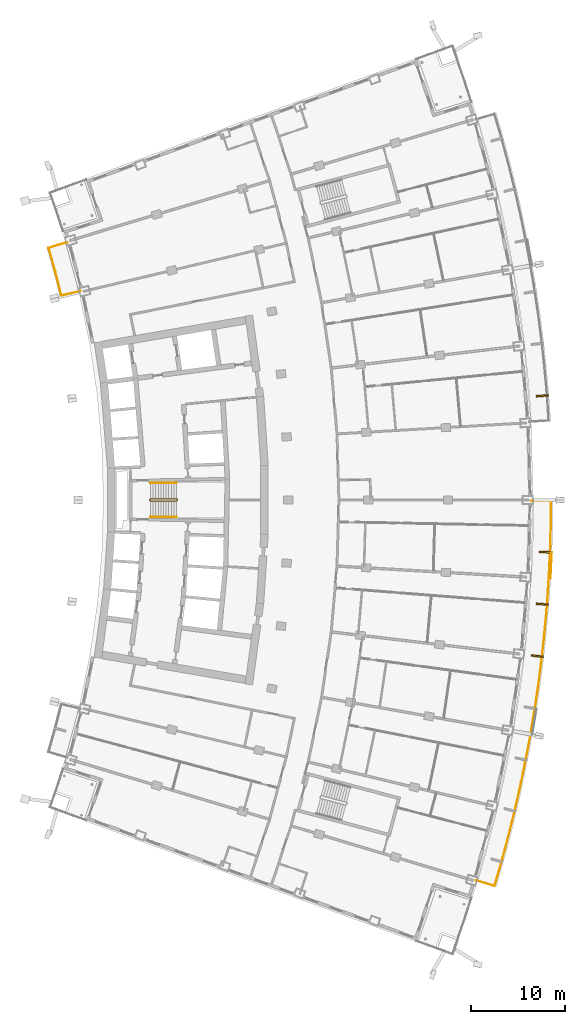
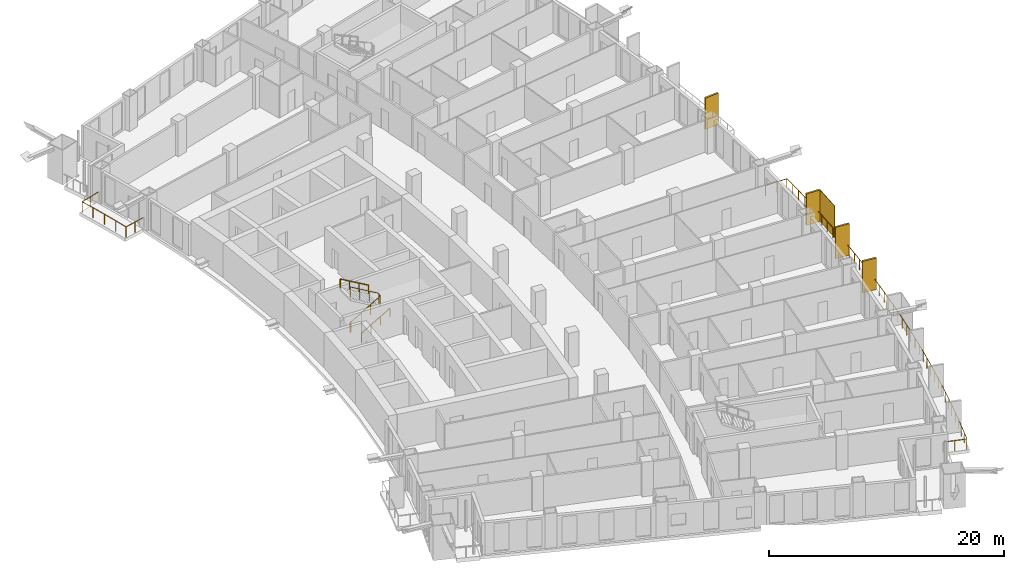
# One storey, part 22 of 23: 5 railings, 5 shading devices.
"""IFC4 building model written with IfcOpenShell, lengths in metres."""

from ifc_helpers import new_model, si_unit, direction, frame, origin, origin_with_axes, origin_2d, place, context, subcontext, project, spatial, rectangle, extrude, material, layer, layer_set, type_object, element, save


model = new_model("IFC4")

# Units and contexts
model_context = context("Model", 3, precision=1e-05, world=origin(), true_north=direction((0.0, 1.0)))
body_context = subcontext(model_context, "Body", "Model", "MODEL_VIEW")
ifc_project = project(units=[si_unit("LENGTHUNIT", "METRE"), si_unit("AREAUNIT", "SQUARE_METRE"), si_unit("VOLUMEUNIT", "CUBIC_METRE"), si_unit("PLANEANGLEUNIT", "RADIAN"), si_unit("MASSUNIT", "GRAM", prefix="KILO")], contexts=[model_context])

# Site, building, storey
site_placement = place(None, origin())
site = spatial("IfcSite", under=ifc_project, at=site_placement, CompositionType="ELEMENT")
building_placement = place(site_placement, origin())
building = spatial("IfcBuilding", under=site, at=building_placement, Name="Alderwake Tower", CompositionType="ELEMENT")
storey_placement = place(building_placement, frame((0.0, 0.0, 100.39990234375)))
storey = spatial("IfcBuildingStorey", under=building, at=storey_placement, Name="L24", CompositionType="ELEMENT", Elevation=100.39990234375)

# Railings
ifc_material_1 = material(Name="Stainless steel 316 rail and posts", Category="steel")
railing_type_1 = type_object("IfcRailingType", Name="Balcony guard 1100", PredefinedType="GUARDRAIL", material=ifc_material_1)
railing_1_placement = place(storey_placement, frame((55.839599609375, 20.320068359375, 0.0)))
element("IfcRailing", 1, at=railing_1_placement, inside=storey, type_object=railing_type_1, Name="Guard BF02", PredefinedType="GUARDRAIL", context=body_context, shape_type="SweptSolid", body=[
    extrude(rectangle(XDim=0.048095703125, YDim=0.048095703125, at=origin_2d()), frame((0.0, 0.0, 1.076171875), z_axis=(0.957954179098, -0.286921227429, 0.0), x_axis=(0.286921227429, 0.957954179098, 0.0)), (0.0, 0.0, 1.0), 2.10009765625),
    extrude(rectangle(XDim=0.048095703125, YDim=0.048095703125, at=origin_2d()), frame((2.01171875, -0.6025390625, 1.076171875), z_axis=(0.280234538423, 0.95993156187, 0.0), x_axis=(-0.95993156187, 0.280234538423, 0.0)), (0.0, 0.0, 1.0), 1.99853515625),
    extrude(rectangle(XDim=0.048095703125, YDim=0.048095703125, at=origin_2d()), frame((2.57177734375, 1.31591796875, 1.076171875), z_axis=(0.266521673868, 0.963828925359, 0.0), x_axis=(-0.963828925359, 0.266521673868, 0.0)), (0.0, 0.0, 1.0), 2.0986328125),
    extrude(rectangle(XDim=0.048095703125, YDim=0.048095703125, at=origin_2d()), frame((3.131103515625, 3.338623046875, 1.076171875), z_axis=(0.252459784968, 0.967607387825, 0.0), x_axis=(-0.967607387825, 0.252459784968, 0.0)), (0.0, 0.0, 1.0), 2.098388671875),
    extrude(rectangle(XDim=0.048095703125, YDim=0.048095703125, at=origin_2d()), frame((3.660888671875, 5.369140625, 1.076171875), z_axis=(0.238262937818, 0.971200685987, 0.0), x_axis=(-0.971200685987, 0.238262937818, 0.0)), (0.0, 0.0, 1.0), 2.0986328125),
    extrude(rectangle(XDim=0.048095703125, YDim=0.048095703125, at=origin_2d()), frame((4.160888671875, 7.4072265625, 1.076171875), z_axis=(0.224094649438, 0.974567385096, 0.0), x_axis=(-0.974567385096, 0.224094649438, 0.0)), (0.0, 0.0, 1.0), 2.098388671875),
    extrude(rectangle(XDim=0.048095703125, YDim=0.048095703125, at=origin_2d()), frame((4.631103515625, 9.4521484375, 1.076171875), z_axis=(0.209854794081, 0.977732563333, 0.0), x_axis=(-0.977732563333, 0.209854794081, 0.0)), (0.0, 0.0, 1.0), 2.0986328125),
    extrude(rectangle(XDim=0.048095703125, YDim=0.048095703125, at=origin_2d()), frame((5.071533203125, 11.504150390625, 1.076171875), z_axis=(0.195691012753, 0.980665604336, 0.0), x_axis=(-0.980665604336, 0.195691012753, 0.0)), (0.0, 0.0, 1.0), 2.098388671875),
    extrude(rectangle(XDim=0.048095703125, YDim=0.048095703125, at=origin_2d()), frame((5.482177734375, 13.56201171875, 1.076171875), z_axis=(0.18126014614, 0.983435183132, 0.0), x_axis=(-0.983435183132, 0.18126014614, 0.0)), (0.0, 0.0, 1.0), 2.098388671875),
    extrude(rectangle(XDim=0.048095703125, YDim=0.048095703125, at=origin_2d()), frame((5.862548828125, 15.625732421875, 1.076171875), z_axis=(0.16694530238, 0.985966158655, 0.0), x_axis=(-0.985966158655, 0.16694530238, 0.0)), (0.0, 0.0, 1.0), 2.0986328125),
    extrude(rectangle(XDim=0.048095703125, YDim=0.048095703125, at=origin_2d()), frame((6.212890625, 17.69482421875, 1.076171875), z_axis=(0.152520506341, 0.988300306155, 0.0), x_axis=(-0.988300306155, 0.152520506341, 0.0)), (0.0, 0.0, 1.0), 2.0986328125),
    extrude(rectangle(XDim=0.048095703125, YDim=0.048095703125, at=origin_2d()), frame((6.532958984375, 19.768798828125, 1.076171875), z_axis=(0.138097834966, 0.990418592302, 0.0), x_axis=(-0.990418592302, 0.138097834966, 0.0)), (0.0, 0.0, 1.0), 2.098388671875),
    extrude(rectangle(XDim=0.048095703125, YDim=0.048095703125, at=origin_2d()), frame((6.82275390625, 21.84716796875, 1.076171875), z_axis=(0.123662458816, 0.992324340264, 0.0), x_axis=(-0.992324340264, 0.123662458816, 0.0)), (0.0, 0.0, 1.0), 2.0986328125),
    extrude(rectangle(XDim=0.048095703125, YDim=0.048095703125, at=origin_2d()), frame((7.082275390625, 23.9296875, 1.076171875), z_axis=(0.109128966339, 0.994027599569, 0.0), x_axis=(-0.994027599569, 0.109128966339, 0.0)), (0.0, 0.0, 1.0), 2.098388671875),
    extrude(rectangle(XDim=0.048095703125, YDim=0.048095703125, at=origin_2d()), frame((7.311279296875, 26.015625, 1.076171875), z_axis=(0.094699289711, 0.995505923904, 0.0), x_axis=(-0.995505923904, 0.094699289711, 0.0)), (0.0, 0.0, 1.0), 2.0986328125),
    extrude(rectangle(XDim=0.048095703125, YDim=0.048095703125, at=origin_2d()), frame((7.510009765625, 28.104736328125, 1.076171875), z_axis=(0.080041152337, 0.996791559922, 0.0), x_axis=(-0.996791559922, 0.080041152337, 0.0)), (0.0, 0.0, 1.0), 2.0986328125),
    extrude(rectangle(XDim=0.048095703125, YDim=0.048095703125, at=origin_2d()), frame((7.677978515625, 30.196533203125, 1.076171875), z_axis=(0.065615549431, 0.997844977776, 0.0), x_axis=(-0.997844977776, 0.065615549431, 0.0)), (0.0, 0.0, 1.0), 2.0986328125),
    extrude(rectangle(XDim=0.048095703125, YDim=0.048095703125, at=origin_2d()), frame((7.815673828125, 32.29052734375, 1.076171875), z_axis=(0.050958868795, 0.998700752824, 0.0), x_axis=(-0.998700752824, 0.050958868795, 0.0)), (0.0, 0.0, 1.0), 2.098388671875),
    extrude(rectangle(XDim=0.048095703125, YDim=0.048095703125, at=origin_2d()), frame((7.922607421875, 34.38623046875, 1.076171875), z_axis=(0.036529735259, 0.999332566487, 0.0), x_axis=(-0.999332566487, 0.036529735259, 0.0)), (0.0, 0.0, 1.0), 2.0986328125),
    extrude(rectangle(XDim=0.048095703125, YDim=0.048095703125, at=origin_2d()), frame((7.999267578125, 36.4833984375, 1.076171875), z_axis=(0.021870494843, 0.999760812122, 0.0), x_axis=(-0.999760812122, 0.021870494843, 0.0)), (0.0, 0.0, 1.0), 2.0986328125),
    extrude(rectangle(XDim=0.048095703125, YDim=0.048095703125, at=origin_2d()), frame((8.045166015625, 38.58154296875, 1.076171875), z_axis=(0.007574614704, 0.999971312195, 0.0), x_axis=(-0.999971312195, 0.007574614704, 0.0)), (0.0, 0.0, 1.0), 1.998291015625),
    extrude(rectangle(XDim=0.048095703125, YDim=0.048095703125, at=origin_2d()), frame((8.060302734375, 40.579833984375, 1.076171875), z_axis=(-0.999999668817, 0.000813858584, 0.0), x_axis=(-0.000813858584, -0.999999668817, 0.0)), (0.0, 0.0, 1.0), 2.099853515625),
    extrude(rectangle(XDim=0.0419921875, YDim=0.0419921875, at=origin_2d()), frame((0.0, 0.0, 0.0), z_axis=(0.0, 0.0, 1.0), x_axis=(0.957954179098, -0.286921227429, 0.0)), (0.0, 0.0, 1.0), 1.052001953125),
    extrude(rectangle(XDim=0.0419921875, YDim=0.0419921875, at=origin_2d()), frame((1.005859375, -0.30126953125, 0.0), z_axis=(0.0, 0.0, 1.0), x_axis=(0.957954179098, -0.286921227429, 0.0)), (0.0, 0.0, 1.0), 1.052001953125),
    extrude(rectangle(XDim=0.0419921875, YDim=0.0419921875, at=origin_2d()), frame((2.01171875, -0.6025390625, 0.0), z_axis=(0.0, 0.0, 1.0), x_axis=(0.280234538423, 0.95993156187, 0.0)), (0.0, 0.0, 1.0), 1.052001953125),
    extrude(rectangle(XDim=0.0419921875, YDim=0.0419921875, at=origin_2d()), frame((2.291748046875, 0.356689453125, 0.0), z_axis=(0.0, 0.0, 1.0), x_axis=(0.280234538423, 0.95993156187, 0.0)), (0.0, 0.0, 1.0), 1.052001953125),
    extrude(rectangle(XDim=0.0419921875, YDim=0.0419921875, at=origin_2d()), frame((2.57177734375, 1.31591796875, 0.0), z_axis=(0.0, 0.0, 1.0), x_axis=(0.266521673868, 0.963828925359, 0.0)), (0.0, 0.0, 1.0), 1.052001953125),
    extrude(rectangle(XDim=0.0419921875, YDim=0.0419921875, at=origin_2d()), frame((2.8515625, 2.3271484375, 0.0), z_axis=(0.0, 0.0, 1.0), x_axis=(0.266521673868, 0.963828925359, 0.0)), (0.0, 0.0, 1.0), 1.052001953125),
    extrude(rectangle(XDim=0.0419921875, YDim=0.0419921875, at=origin_2d()), frame((3.131103515625, 3.338623046875, 0.0), z_axis=(0.0, 0.0, 1.0), x_axis=(0.252459784968, 0.967607387825, 0.0)), (0.0, 0.0, 1.0), 1.052001953125),
    extrude(rectangle(XDim=0.0419921875, YDim=0.0419921875, at=origin_2d()), frame((3.39599609375, 4.35400390625, 0.0), z_axis=(0.0, 0.0, 1.0), x_axis=(0.252459784968, 0.967607387825, 0.0)), (0.0, 0.0, 1.0), 1.052001953125),
    extrude(rectangle(XDim=0.0419921875, YDim=0.0419921875, at=origin_2d()), frame((3.660888671875, 5.369140625, 0.0), z_axis=(0.0, 0.0, 1.0), x_axis=(0.238262937818, 0.971200685987, 0.0)), (0.0, 0.0, 1.0), 1.052001953125),
    extrude(rectangle(XDim=0.0419921875, YDim=0.0419921875, at=origin_2d()), frame((3.910888671875, 6.38818359375, 0.0), z_axis=(0.0, 0.0, 1.0), x_axis=(0.238262937818, 0.971200685987, 0.0)), (0.0, 0.0, 1.0), 1.052001953125),
    extrude(rectangle(XDim=0.0419921875, YDim=0.0419921875, at=origin_2d()), frame((4.160888671875, 7.4072265625, 0.0), z_axis=(0.0, 0.0, 1.0), x_axis=(0.224094649438, 0.974567385096, 0.0)), (0.0, 0.0, 1.0), 1.052001953125),
    extrude(rectangle(XDim=0.0419921875, YDim=0.0419921875, at=origin_2d()), frame((4.39599609375, 8.4296875, 0.0), z_axis=(0.0, 0.0, 1.0), x_axis=(0.224094649438, 0.974567385096, 0.0)), (0.0, 0.0, 1.0), 1.052001953125),
    extrude(rectangle(XDim=0.0419921875, YDim=0.0419921875, at=origin_2d()), frame((4.631103515625, 9.4521484375, 0.0), z_axis=(0.0, 0.0, 1.0), x_axis=(0.209854794081, 0.977732563333, 0.0)), (0.0, 0.0, 1.0), 1.052001953125),
    extrude(rectangle(XDim=0.0419921875, YDim=0.0419921875, at=origin_2d()), frame((4.851318359375, 10.47802734375, 0.0), z_axis=(0.0, 0.0, 1.0), x_axis=(0.209854794081, 0.977732563333, 0.0)), (0.0, 0.0, 1.0), 1.052001953125),
    extrude(rectangle(XDim=0.0419921875, YDim=0.0419921875, at=origin_2d()), frame((5.071533203125, 11.504150390625, 0.0), z_axis=(0.0, 0.0, 1.0), x_axis=(0.195691012753, 0.980665604336, 0.0)), (0.0, 0.0, 1.0), 1.052001953125),
    extrude(rectangle(XDim=0.0419921875, YDim=0.0419921875, at=origin_2d()), frame((5.27685546875, 12.533203125, 0.0), z_axis=(0.0, 0.0, 1.0), x_axis=(0.195691012753, 0.980665604336, 0.0)), (0.0, 0.0, 1.0), 1.052001953125),
    extrude(rectangle(XDim=0.0419921875, YDim=0.0419921875, at=origin_2d()), frame((5.482177734375, 13.56201171875, 0.0), z_axis=(0.0, 0.0, 1.0), x_axis=(0.18126014614, 0.983435183132, 0.0)), (0.0, 0.0, 1.0), 1.052001953125),
    extrude(rectangle(XDim=0.0419921875, YDim=0.0419921875, at=origin_2d()), frame((5.67236328125, 14.59375, 0.0), z_axis=(0.0, 0.0, 1.0), x_axis=(0.18126014614, 0.983435183132, 0.0)), (0.0, 0.0, 1.0), 1.052001953125),
    extrude(rectangle(XDim=0.0419921875, YDim=0.0419921875, at=origin_2d()), frame((5.862548828125, 15.625732421875, 0.0), z_axis=(0.0, 0.0, 1.0), x_axis=(0.16694530238, 0.985966158655, 0.0)), (0.0, 0.0, 1.0), 1.052001953125),
    extrude(rectangle(XDim=0.0419921875, YDim=0.0419921875, at=origin_2d()), frame((6.03759765625, 16.66015625, 0.0), z_axis=(0.0, 0.0, 1.0), x_axis=(0.16694530238, 0.985966158655, 0.0)), (0.0, 0.0, 1.0), 1.052001953125),
    extrude(rectangle(XDim=0.0419921875, YDim=0.0419921875, at=origin_2d()), frame((6.212890625, 17.69482421875, 0.0), z_axis=(0.0, 0.0, 1.0), x_axis=(0.152520506341, 0.988300306155, 0.0)), (0.0, 0.0, 1.0), 1.052001953125),
    extrude(rectangle(XDim=0.0419921875, YDim=0.0419921875, at=origin_2d()), frame((6.373046875, 18.73193359375, 0.0), z_axis=(0.0, 0.0, 1.0), x_axis=(0.152520506341, 0.988300306155, 0.0)), (0.0, 0.0, 1.0), 1.052001953125),
    extrude(rectangle(XDim=0.0419921875, YDim=0.0419921875, at=origin_2d()), frame((6.532958984375, 19.768798828125, 0.0), z_axis=(0.0, 0.0, 1.0), x_axis=(0.138097834966, 0.990418592302, 0.0)), (0.0, 0.0, 1.0), 1.052001953125),
    extrude(rectangle(XDim=0.0419921875, YDim=0.0419921875, at=origin_2d()), frame((6.677734375, 20.80810546875, 0.0), z_axis=(0.0, 0.0, 1.0), x_axis=(0.138097834966, 0.990418592302, 0.0)), (0.0, 0.0, 1.0), 1.052001953125),
    extrude(rectangle(XDim=0.0419921875, YDim=0.0419921875, at=origin_2d()), frame((6.82275390625, 21.84716796875, 0.0), z_axis=(0.0, 0.0, 1.0), x_axis=(0.123662458816, 0.992324340264, 0.0)), (0.0, 0.0, 1.0), 1.052001953125),
    extrude(rectangle(XDim=0.0419921875, YDim=0.0419921875, at=origin_2d()), frame((6.95263671875, 22.888427734375, 0.0), z_axis=(0.0, 0.0, 1.0), x_axis=(0.123662458816, 0.992324340264, 0.0)), (0.0, 0.0, 1.0), 1.052001953125),
    extrude(rectangle(XDim=0.0419921875, YDim=0.0419921875, at=origin_2d()), frame((7.082275390625, 23.9296875, 0.0), z_axis=(0.0, 0.0, 1.0), x_axis=(0.109128966339, 0.994027599569, 0.0)), (0.0, 0.0, 1.0), 1.052001953125),
    extrude(rectangle(XDim=0.0419921875, YDim=0.0419921875, at=origin_2d()), frame((7.19677734375, 24.97265625, 0.0), z_axis=(0.0, 0.0, 1.0), x_axis=(0.109128966339, 0.994027599569, 0.0)), (0.0, 0.0, 1.0), 1.052001953125),
    extrude(rectangle(XDim=0.0419921875, YDim=0.0419921875, at=origin_2d()), frame((7.311279296875, 26.015625, 0.0), z_axis=(0.0, 0.0, 1.0), x_axis=(0.094699289711, 0.995505923904, 0.0)), (0.0, 0.0, 1.0), 1.052001953125),
    extrude(rectangle(XDim=0.0419921875, YDim=0.0419921875, at=origin_2d()), frame((7.41064453125, 27.06005859375, 0.0), z_axis=(0.0, 0.0, 1.0), x_axis=(0.094699289711, 0.995505923904, 0.0)), (0.0, 0.0, 1.0), 1.052001953125),
    extrude(rectangle(XDim=0.0419921875, YDim=0.0419921875, at=origin_2d()), frame((7.510009765625, 28.104736328125, 0.0), z_axis=(0.0, 0.0, 1.0), x_axis=(0.080041152337, 0.996791559922, 0.0)), (0.0, 0.0, 1.0), 1.052001953125),
    extrude(rectangle(XDim=0.0419921875, YDim=0.0419921875, at=origin_2d()), frame((7.593994140625, 29.150634765625, 0.0), z_axis=(0.0, 0.0, 1.0), x_axis=(0.080041152337, 0.996791559922, 0.0)), (0.0, 0.0, 1.0), 1.052001953125),
    extrude(rectangle(XDim=0.0419921875, YDim=0.0419921875, at=origin_2d()), frame((7.677978515625, 30.196533203125, 0.0), z_axis=(0.0, 0.0, 1.0), x_axis=(0.065615549431, 0.997844977776, 0.0)), (0.0, 0.0, 1.0), 1.052001953125),
    extrude(rectangle(XDim=0.0419921875, YDim=0.0419921875, at=origin_2d()), frame((7.746826171875, 31.24365234375, 0.0), z_axis=(0.0, 0.0, 1.0), x_axis=(0.065615549431, 0.997844977776, 0.0)), (0.0, 0.0, 1.0), 1.052001953125),
    extrude(rectangle(XDim=0.0419921875, YDim=0.0419921875, at=origin_2d()), frame((7.815673828125, 32.29052734375, 0.0), z_axis=(0.0, 0.0, 1.0), x_axis=(0.050958868795, 0.998700752824, 0.0)), (0.0, 0.0, 1.0), 1.052001953125),
    extrude(rectangle(XDim=0.0419921875, YDim=0.0419921875, at=origin_2d()), frame((7.869140625, 33.33837890625, 0.0), z_axis=(0.0, 0.0, 1.0), x_axis=(0.050958868795, 0.998700752824, 0.0)), (0.0, 0.0, 1.0), 1.052001953125),
    extrude(rectangle(XDim=0.0419921875, YDim=0.0419921875, at=origin_2d()), frame((7.922607421875, 34.38623046875, 0.0), z_axis=(0.0, 0.0, 1.0), x_axis=(0.036529735259, 0.999332566487, 0.0)), (0.0, 0.0, 1.0), 1.052001953125),
    extrude(rectangle(XDim=0.0419921875, YDim=0.0419921875, at=origin_2d()), frame((7.9609375, 35.434814453125, 0.0), z_axis=(0.0, 0.0, 1.0), x_axis=(0.036529735259, 0.999332566487, 0.0)), (0.0, 0.0, 1.0), 1.052001953125),
    extrude(rectangle(XDim=0.0419921875, YDim=0.0419921875, at=origin_2d()), frame((7.999267578125, 36.4833984375, 0.0), z_axis=(0.0, 0.0, 1.0), x_axis=(0.021870494843, 0.999760812122, 0.0)), (0.0, 0.0, 1.0), 1.052001953125),
    extrude(rectangle(XDim=0.0419921875, YDim=0.0419921875, at=origin_2d()), frame((8.022216796875, 37.532470703125, 0.0), z_axis=(0.0, 0.0, 1.0), x_axis=(0.021870494843, 0.999760812122, 0.0)), (0.0, 0.0, 1.0), 1.052001953125),
    extrude(rectangle(XDim=0.0419921875, YDim=0.0419921875, at=origin_2d()), frame((8.045166015625, 38.58154296875, 0.0), z_axis=(0.0, 0.0, 1.0), x_axis=(0.007574614704, 0.999971312195, 0.0)), (0.0, 0.0, 1.0), 1.052001953125),
    extrude(rectangle(XDim=0.0419921875, YDim=0.0419921875, at=origin_2d()), frame((8.052734375, 39.58056640625, 0.0), z_axis=(0.0, 0.0, 1.0), x_axis=(0.007574614704, 0.999971312195, 0.0)), (0.0, 0.0, 1.0), 1.052001953125),
    extrude(rectangle(XDim=0.0419921875, YDim=0.0419921875, at=origin_2d()), frame((8.060302734375, 40.579833984375, 0.0), z_axis=(0.0, 0.0, 1.0), x_axis=(-0.999999668817, 0.000813858584, 0.0)), (0.0, 0.0, 1.0), 1.052001953125),
    extrude(rectangle(XDim=0.0419921875, YDim=0.0419921875, at=origin_2d()), frame((7.01025390625, 40.58056640625, 0.0), z_axis=(0.0, 0.0, 1.0), x_axis=(-0.999999668817, 0.000813858584, 0.0)), (0.0, 0.0, 1.0), 1.052001953125),
    extrude(rectangle(XDim=0.0419921875, YDim=0.0419921875, at=origin_2d()), frame((5.96044921875, 40.58154296875, 0.0), z_axis=(0.0, 0.0, 1.0), x_axis=(-0.999999668817, 0.000813858584, 0.0)), (0.0, 0.0, 1.0), 1.052001953125),
])
railing_2_placement = place(storey_placement, frame((13.5693359375, 83.343017578125, 0.0)))
element("IfcRailing", 2, at=railing_2_placement, inside=storey, type_object=railing_type_1, Name="Guard BR11", PredefinedType="GUARDRAIL", context=body_context, shape_type="SweptSolid", body=[
    extrude(rectangle(XDim=0.048095703125, YDim=0.048095703125, at=origin_2d()), frame((0.0, 0.0, 1.076171875), z_axis=(-0.972646310656, -0.232291098337, 0.0), x_axis=(0.232291098337, -0.972646310656, 0.0)), (0.0, 0.0, 1.0), 2.099853515625),
    extrude(rectangle(XDim=0.048095703125, YDim=0.048095703125, at=origin_2d()), frame((-2.04248046875, -0.48779296875, 1.076171875), z_axis=(-0.238877101641, 0.971049808358, 0.0), x_axis=(-0.971049808358, -0.238877101641, 0.0)), (0.0, 0.0, 1.0), 1.2724609375),
    extrude(rectangle(XDim=0.048095703125, YDim=0.048095703125, at=origin_2d()), frame((-2.346435546875, 0.747802734375, 1.076171875), z_axis=(-0.252487086228, 0.967600264204, 0.0), x_axis=(-0.967600264204, -0.252487086228, 0.0)), (0.0, 0.0, 1.0), 1.3720703125),
    extrude(rectangle(XDim=0.048095703125, YDim=0.048095703125, at=origin_2d()), frame((-2.69287109375, 2.075439453125, 1.076171875), z_axis=(-0.266487604617, 0.963838345671, 0.0), x_axis=(-0.963838345671, -0.266487604617, 0.0)), (0.0, 0.0, 1.0), 1.372314453125),
    extrude(rectangle(XDim=0.048095703125, YDim=0.048095703125, at=origin_2d()), frame((-3.05859375, 3.398193359375, 1.076171875), z_axis=(-0.279963157487, 0.960010744966, 0.0), x_axis=(-0.960010744966, -0.279963157487, 0.0)), (0.0, 0.0, 1.0), 1.272216796875),
    extrude(rectangle(XDim=0.048095703125, YDim=0.048095703125, at=origin_2d()), frame((-3.414794921875, 4.61962890625, 1.076171875), z_axis=(0.958091458885, 0.286462486918, 0.0), x_axis=(-0.286462486918, 0.958091458885, 0.0)), (0.0, 0.0, 1.0), 2.099853515625),
    extrude(rectangle(XDim=0.0419921875, YDim=0.0419921875, at=origin_2d()), frame((0.0, 0.0, 0.0), z_axis=(0.0, 0.0, 1.0), x_axis=(-0.972646310656, -0.232291098337, 0.0)), (0.0, 0.0, 1.0), 1.052001953125),
    extrude(rectangle(XDim=0.0419921875, YDim=0.0419921875, at=origin_2d()), frame((-1.021240234375, -0.243896484375, 0.0), z_axis=(0.0, 0.0, 1.0), x_axis=(-0.972646310656, -0.232291098337, 0.0)), (0.0, 0.0, 1.0), 1.052001953125),
    extrude(rectangle(XDim=0.0419921875, YDim=0.0419921875, at=origin_2d()), frame((-2.04248046875, -0.48779296875, 0.0), z_axis=(0.0, 0.0, 1.0), x_axis=(-0.238877101641, 0.971049808358, 0.0)), (0.0, 0.0, 1.0), 1.052001953125),
    extrude(rectangle(XDim=0.0419921875, YDim=0.0419921875, at=origin_2d()), frame((-2.346435546875, 0.747802734375, 0.0), z_axis=(0.0, 0.0, 1.0), x_axis=(-0.252487086228, 0.967600264204, 0.0)), (0.0, 0.0, 1.0), 1.052001953125),
    extrude(rectangle(XDim=0.0419921875, YDim=0.0419921875, at=origin_2d()), frame((-2.69287109375, 2.075439453125, 0.0), z_axis=(0.0, 0.0, 1.0), x_axis=(-0.266487604617, 0.963838345671, 0.0)), (0.0, 0.0, 1.0), 1.052001953125),
    extrude(rectangle(XDim=0.0419921875, YDim=0.0419921875, at=origin_2d()), frame((-3.05859375, 3.398193359375, 0.0), z_axis=(0.0, 0.0, 1.0), x_axis=(-0.279963157487, 0.960010744966, 0.0)), (0.0, 0.0, 1.0), 1.052001953125),
    extrude(rectangle(XDim=0.0419921875, YDim=0.0419921875, at=origin_2d()), frame((-3.414794921875, 4.61962890625, 0.0), z_axis=(0.0, 0.0, 1.0), x_axis=(0.958091458885, 0.286462486918, 0.0)), (0.0, 0.0, 1.0), 1.052001953125),
    extrude(rectangle(XDim=0.0419921875, YDim=0.0419921875, at=origin_2d()), frame((-2.40869140625, 4.92041015625, 0.0), z_axis=(0.0, 0.0, 1.0), x_axis=(0.958091458885, 0.286462486918, 0.0)), (0.0, 0.0, 1.0), 1.052001953125),
    extrude(rectangle(XDim=0.0419921875, YDim=0.0419921875, at=origin_2d()), frame((-1.40283203125, 5.22119140625, 0.0), z_axis=(0.0, 0.0, 1.0), x_axis=(0.958091458885, 0.286462486918, 0.0)), (0.0, 0.0, 1.0), 1.052001953125),
])

# Shading devices
ifc_material_2 = material(Name="Bronze anodised aluminium", Category="aluminium")
ifc_layer_1 = layer(ifc_material_2, 0.179931640625)
ifc_layer_set_1 = layer_set([ifc_layer_1], Name="Facade fin 1300")
shading_device_type_1 = type_object("IfcShadingDeviceType", Name="Facade fin 1300", PredefinedType="USERDEFINED", material=ifc_layer_set_1)
for number, where, z_axis, x_axis, name in (
    (3, (62.424560546875, 44.30322265625, 0.0), (0.0, 0.0, 1.0), (0.993198315083, -0.116434990084, 0.0), "Fin"),
    (4, (62.96630859375, 49.854736328125, 0.0), (0.0, 0.0, 1.0), (0.996975122026, -0.077721335943, 0.0), "Fin"),
    (5, (63.29150390625, 55.423095703125, 0.0), (0.0, 0.0, 1.0), (0.999243494356, -0.038890088543, 0.0), "Fin"),
    (6, (62.96630859375, 72.145263671875, 0.0), (0.0, 0.0, 1.0), (0.996975122026, 0.077721335943, 0.0), "Fin"),
):
    element("IfcShadingDevice", number, at=place(storey_placement, frame(where, z_axis=z_axis, x_axis=x_axis)), inside=storey, type_object=shading_device_type_1, Name=name, ObjectType="FIN", PredefinedType="USERDEFINED", context=body_context, shape_type="SweptSolid", body=[
        extrude(rectangle(XDim=1.300048828125, YDim=0.179931640625, at=origin_2d()), origin(), (0.0, 0.0, 1.0), 3.280029296875),
    ])
ifc_material_3 = material(Name="Perforated bronze anodised aluminium", Category="aluminium")
ifc_layer_2 = layer(ifc_material_3, 0.050048828125)
ifc_layer_set_2 = layer_set([ifc_layer_2], Name="Perforated screen panel")
shading_device_type_2 = type_object("IfcShadingDeviceType", Name="Perforated screen panel", PredefinedType="USERDEFINED", material=ifc_layer_set_2)
shading_device_placement = place(storey_placement, frame((63.898193359375, 54.0009765625, 0.0), z_axis=(0.0, 0.0, 1.0), x_axis=(0.998819231138, -0.048581308217, 0.0)))
element("IfcShadingDevice", 7, at=shading_device_placement, inside=storey, type_object=shading_device_type_2, Name="Screen panel", ObjectType="SCREEN", PredefinedType="USERDEFINED", context=body_context, shape_type="SweptSolid", body=[
    extrude(rectangle(XDim=0.050048828125, YDim=2.794921875, at=origin_2d()), origin(), (0.0, 0.0, 1.0), 3.280029296875),
])

# Railings
ifc_material_4 = material(Name="Stainless steel guard", Category="steel")
railing_type_2 = type_object("IfcRailingType", Name="Stair guard 1100", PredefinedType="GUARDRAIL", material=ifc_material_4)
railing_3_placement = place(storey_placement, frame((20.989990234375, 60.925048828125, 0.0)))
element("IfcRailing", 8, at=railing_3_placement, inside=storey, type_object=railing_type_2, Name="L24 ST-B stair guard 1", PredefinedType="GUARDRAIL", context=body_context, shape_type="SweptSolid", body=[
    extrude(rectangle(XDim=0.048095703125, YDim=0.048095703125, at=origin_2d()), frame((0.0, 0.0, 1.076171875), z_axis=(0.0, 1.0, 0.0), x_axis=(-1.0, 0.0, 0.0)), (0.0, 0.0, 1.0), 0.14990234375),
    extrude(rectangle(XDim=0.048095703125, YDim=0.048095703125, at=origin_2d()), frame((0.0, 0.14990234375, 1.076171875), z_axis=(0.190089865108, -0.759432192796, 0.622196582865), x_axis=(0.970072785993, 0.242814311512, 0.0)), (0.0, 0.0, 1.0), 0.26318359375),
    extrude(rectangle(XDim=0.048095703125, YDim=0.048095703125, at=origin_2d()), frame((0.050048828125, -0.050048828125, 1.23974609375), z_axis=(0.863393664356, 0.0, 0.504530851732), x_axis=(0.0, 1.0, 0.0)), (0.0, 0.0, 1.0), 3.2431640625),
    extrude(rectangle(XDim=0.048095703125, YDim=0.048095703125, at=origin_2d()), frame((2.85009765625, -0.050048828125, 2.8759765625), z_axis=(0.705375805398, 0.708833529934, 0.0), x_axis=(-0.708833529934, 0.705375805398, 0.0)), (0.0, 0.0, 1.0), 0.070556640625),
    extrude(rectangle(XDim=0.048095703125, YDim=0.048095703125, at=origin_2d()), frame((2.89990234375, 0.0, 2.8759765625), z_axis=(0.0, 1.0, 0.0), x_axis=(-1.0, 0.0, 0.0)), (0.0, 0.0, 1.0), 0.14990234375),
    extrude(rectangle(XDim=0.048095703125, YDim=0.048095703125, at=origin_2d()), frame((2.89990234375, 0.14990234375, 2.8759765625), z_axis=(-0.279546231943, 0.280916556609, 0.91811752648), x_axis=(-0.708833529934, -0.705375805398, 0.0)), (0.0, 0.0, 1.0), 0.17822265625),
    extrude(rectangle(XDim=0.048095703125, YDim=0.048095703125, at=origin_2d()), frame((2.85009765625, 0.199951171875, 3.03955078125), z_axis=(-0.863360870873, 0.0, 0.504586966384), x_axis=(0.0, -1.0, 0.0)), (0.0, 0.0, 1.0), 3.2431640625),
    extrude(rectangle(XDim=0.0419921875, YDim=0.0419921875, at=origin_2d()), frame((0.0, 0.0, 0.0), z_axis=(0.0, 0.0, 1.0), x_axis=(0.0, 1.0, 0.0)), (0.0, 0.0, 1.0), 1.052001953125),
    extrude(rectangle(XDim=0.0419921875, YDim=0.0419921875, at=origin_2d()), frame((0.0, 0.14990234375, 0.0), z_axis=(0.0, 0.0, 1.0), x_axis=(0.242814311512, -0.970072785993, 0.0)), (0.0, 0.0, 1.0), 1.052001953125),
    extrude(rectangle(XDim=0.0419921875, YDim=0.0419921875, at=origin_2d()), frame((0.050048828125, -0.050048828125, 0.163818359375), z_axis=(0.0, 0.0, 1.0), x_axis=(1.0, 0.0, 0.0)), (0.0, 0.0, 1.0), 1.052001953125),
    extrude(rectangle(XDim=0.0419921875, YDim=0.0419921875, at=origin_2d()), frame((0.9833984375, -0.050048828125, 0.709228515625), z_axis=(0.0, 0.0, 1.0), x_axis=(1.0, 0.0, 0.0)), (0.0, 0.0, 1.0), 1.052001953125),
    extrude(rectangle(XDim=0.0419921875, YDim=0.0419921875, at=origin_2d()), frame((1.916748046875, -0.050048828125, 1.254638671875), z_axis=(0.0, 0.0, 1.0), x_axis=(1.0, 0.0, 0.0)), (0.0, 0.0, 1.0), 1.052001953125),
    extrude(rectangle(XDim=0.0419921875, YDim=0.0419921875, at=origin_2d()), frame((2.85009765625, -0.050048828125, 1.800048828125), z_axis=(0.0, 0.0, 1.0), x_axis=(0.705375805398, 0.708833529934, 0.0)), (0.0, 0.0, 1.0), 1.052001953125),
    extrude(rectangle(XDim=0.0419921875, YDim=0.0419921875, at=origin_2d()), frame((2.89990234375, 0.0, 1.800048828125), z_axis=(0.0, 0.0, 1.0), x_axis=(0.0, 1.0, 0.0)), (0.0, 0.0, 1.0), 1.052001953125),
    extrude(rectangle(XDim=0.0419921875, YDim=0.0419921875, at=origin_2d()), frame((2.89990234375, 0.14990234375, 1.800048828125), z_axis=(0.0, 0.0, 1.0), x_axis=(-0.705375805398, 0.708833529934, 0.0)), (0.0, 0.0, 1.0), 1.052001953125),
    extrude(rectangle(XDim=0.0419921875, YDim=0.0419921875, at=origin_2d()), frame((2.85009765625, 0.199951171875, 1.963623046875), z_axis=(0.0, 0.0, 1.0), x_axis=(-1.0, 0.0, 0.0)), (0.0, 0.0, 1.0), 1.052001953125),
    extrude(rectangle(XDim=0.0419921875, YDim=0.0419921875, at=origin_2d()), frame((1.916748046875, 0.199951171875, 2.509033203125), z_axis=(0.0, 0.0, 1.0), x_axis=(-1.0, 0.0, 0.0)), (0.0, 0.0, 1.0), 1.052001953125),
    extrude(rectangle(XDim=0.0419921875, YDim=0.0419921875, at=origin_2d()), frame((0.9833984375, 0.199951171875, 3.0546875), z_axis=(0.0, 0.0, 1.0), x_axis=(-1.0, 0.0, 0.0)), (0.0, 0.0, 1.0), 1.052001953125),
    extrude(rectangle(XDim=0.0419921875, YDim=0.0419921875, at=origin_2d()), frame((0.050048828125, 0.199951171875, 3.60009765625), z_axis=(0.0, 0.0, 1.0), x_axis=(-1.0, 0.0, 0.0)), (0.0, 0.0, 1.0), 1.052001953125),
])
ifc_material_5 = material(Name="Stainless steel handrail", Category="steel")
railing_type_3 = type_object("IfcRailingType", Name="Stair handrail 900", PredefinedType="HANDRAIL", material=ifc_material_5)
railing_4_placement = place(storey_placement, frame((21.0400390625, 59.175048828125, 0.163818359375)))
element("IfcRailing", 9, at=railing_4_placement, inside=storey, type_object=railing_type_3, Name="L24 ST-B stair handrail 1", PredefinedType="HANDRAIL", context=body_context, shape_type="SweptSolid", body=[
    extrude(rectangle(XDim=0.048095703125, YDim=0.048095703125, at=origin_2d()), frame((0.0, 0.0, 0.8759765625), z_axis=(0.863393664356, 0.0, 0.504530851732), x_axis=(0.0, 1.0, 0.0)), (0.0, 0.0, 1.0), 3.2431640625),
    extrude(rectangle(XDim=0.0419921875, YDim=0.0419921875, at=origin_2d()), origin_with_axes(), (0.0, 0.0, 1.0), 0.851806640625),
    extrude(rectangle(XDim=0.0419921875, YDim=0.0419921875, at=origin_2d()), frame((0.933349609375, 0.0, 0.54541015625), z_axis=(0.0, 0.0, 1.0), x_axis=(1.0, 0.0, 0.0)), (0.0, 0.0, 1.0), 0.851806640625),
    extrude(rectangle(XDim=0.0419921875, YDim=0.0419921875, at=origin_2d()), frame((1.86669921875, 0.0, 1.0908203125), z_axis=(0.0, 0.0, 1.0), x_axis=(1.0, 0.0, 0.0)), (0.0, 0.0, 1.0), 0.851806640625),
    extrude(rectangle(XDim=0.0419921875, YDim=0.0419921875, at=origin_2d()), frame((2.800048828125, 0.0, 1.63623046875), z_axis=(0.0, 0.0, 1.0), x_axis=(1.0, 0.0, 0.0)), (0.0, 0.0, 1.0), 0.851806640625),
])
railing_5_placement = place(storey_placement, frame((23.840087890625, 62.824951171875, 1.963623046875)))
element("IfcRailing", 10, at=railing_5_placement, inside=storey, type_object=railing_type_3, Name="L24 ST-B stair handrail 2", PredefinedType="HANDRAIL", context=body_context, shape_type="SweptSolid", body=[
    extrude(rectangle(XDim=0.048095703125, YDim=0.048095703125, at=origin_2d()), frame((0.0, 0.0, 0.8759765625), z_axis=(-0.863360870873, 0.0, 0.504586966384), x_axis=(0.0, -1.0, 0.0)), (0.0, 0.0, 1.0), 3.2431640625),
    extrude(rectangle(XDim=0.0419921875, YDim=0.0419921875, at=origin_2d()), frame((0.0, 0.0, 0.0), z_axis=(0.0, 0.0, 1.0), x_axis=(-1.0, 0.0, 0.0)), (0.0, 0.0, 1.0), 0.851806640625),
    extrude(rectangle(XDim=0.0419921875, YDim=0.0419921875, at=origin_2d()), frame((-0.933349609375, 0.0, 0.54541015625), z_axis=(0.0, 0.0, 1.0), x_axis=(-1.0, 0.0, 0.0)), (0.0, 0.0, 1.0), 0.851806640625),
    extrude(rectangle(XDim=0.0419921875, YDim=0.0419921875, at=origin_2d()), frame((-1.86669921875, 0.0, 1.091064453125), z_axis=(0.0, 0.0, 1.0), x_axis=(-1.0, 0.0, 0.0)), (0.0, 0.0, 1.0), 0.851806640625),
    extrude(rectangle(XDim=0.0419921875, YDim=0.0419921875, at=origin_2d()), frame((-2.800048828125, 0.0, 1.636474609375), z_axis=(0.0, 0.0, 1.0), x_axis=(-1.0, 0.0, 0.0)), (0.0, 0.0, 1.0), 0.851806640625),
])

save(model, "model.ifc")
